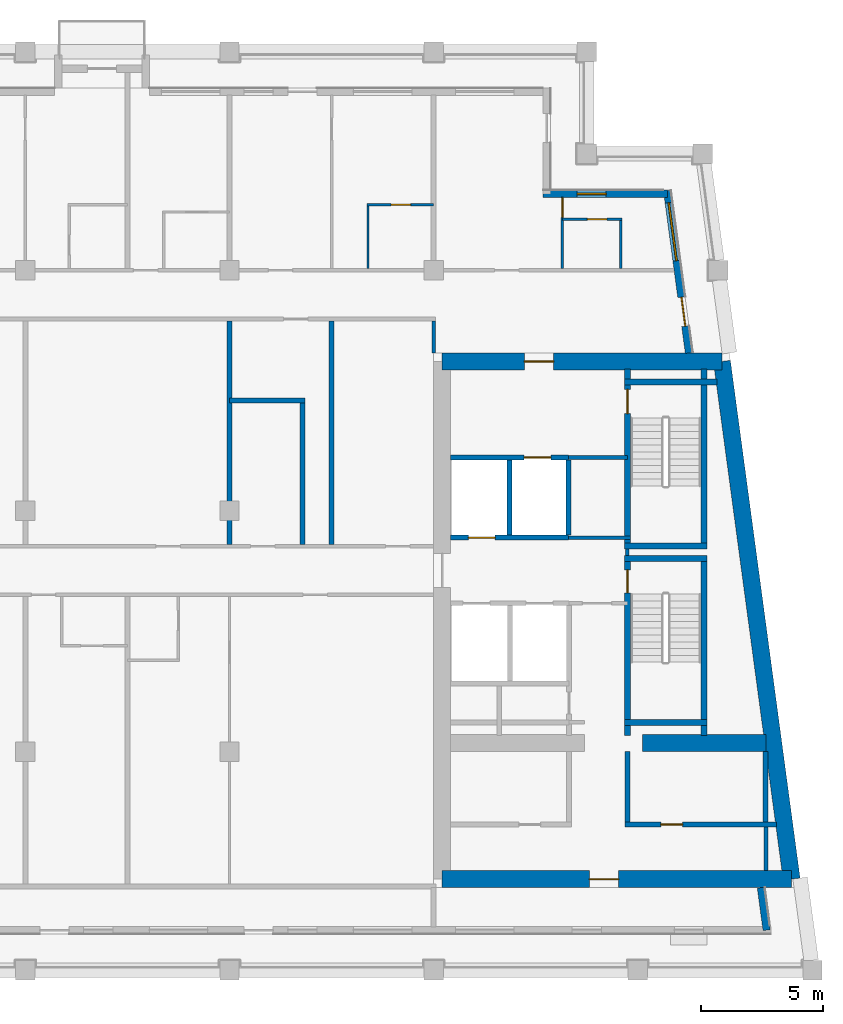
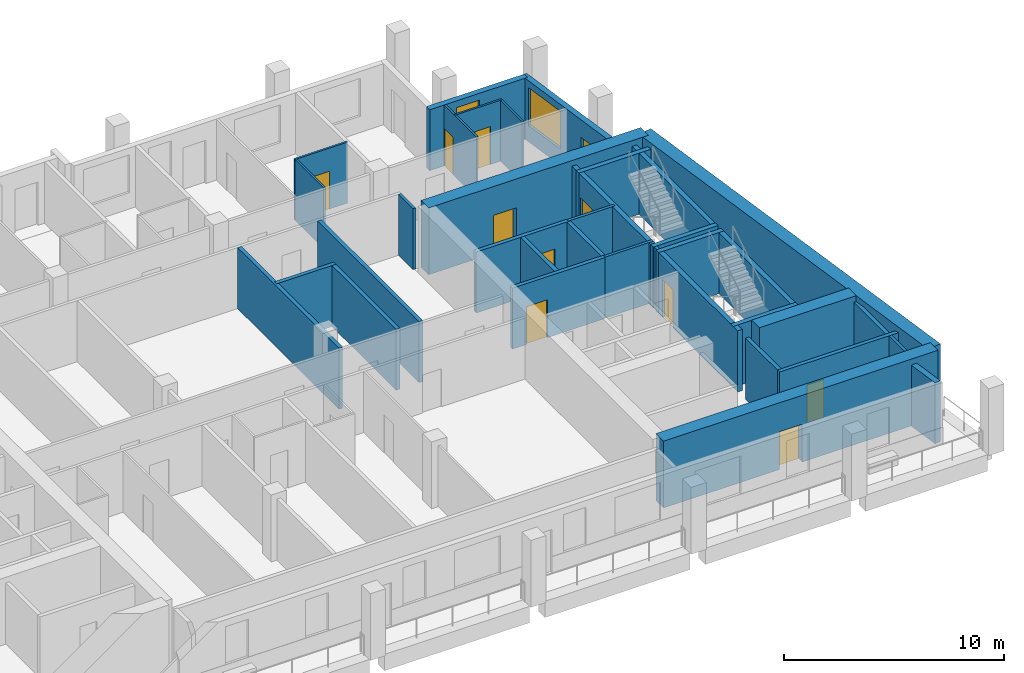
# One storey, part 5 of 14: 36 walls, 11 doors, 2 windows, 13 openings.
"""IFC4 building model written with IfcOpenShell, lengths in metres."""

import ifcopenshell
import ifcopenshell.guid

model = None  # the IFC model being written
_history = None  # IfcOwnerHistory: only IFC2X3 demands one
_inside = {}  # id of a spatial element -> (the spatial element, [elements in it])
_under = {}  # id of a project, library or spatial element -> (it, [spatial elements below it])
_declared = {}  # id of a project -> (the project, [libraries it declares])
_typed = {}  # id of a type object -> (the type object, [elements of that type])
_made_of = {}  # id of a material, layer set ... -> (it, [elements and type objects made of it])


def new_model(schema):
    """Start an empty IFC model of exactly this schema.

    Asked for "IFC4X3", IfcOpenShell would pick the latest addendum, in which some entities
    have other attributes; the version numbers below select the first issue.
    IFC2X3 requires an IfcOwnerHistory on every rooted entity: one is made here for all.
    """
    global model, _history
    if schema == "IFC4X3":
        model = ifcopenshell.file(schema_version=(4, 3, 0, 0))
    else:
        model = ifcopenshell.file(schema=schema)
    _inside.clear()
    _under.clear()
    _declared.clear()
    _typed.clear()
    _made_of.clear()
    _history = None
    if model.schema == "IFC2X3":
        org = make("IfcOrganization", Name="unknown")
        user = make(
            "IfcPersonAndOrganization",
            ThePerson=make("IfcPerson", FamilyName="unknown"),
            TheOrganization=org,
        )
        app = make(
            "IfcApplication",
            ApplicationDeveloper=org,
            Version="unknown",
            ApplicationFullName="unknown",
            ApplicationIdentifier="unknown",
        )
        _history = make(
            "IfcOwnerHistory",
            OwningUser=user,
            OwningApplication=app,
            ChangeAction="ADDED",
            CreationDate=0,
        )
    return model


def make(cls, **values):
    """One entity of the class cls with the attributes given. An attribute that is None is left unset."""
    return model.create_entity(
        cls, **{name: value for name, value in values.items() if value is not None}
    )


def rooted(cls, **values):
    """An entity with a GlobalId (a new one), such as an element, a storey or a relation."""
    return make(cls, GlobalId=ifcopenshell.guid.new(), OwnerHistory=_history, **values)


def si_unit(unit_type, name, prefix=None):
    """IfcSIUnit, for example si_unit("LENGTHUNIT", "METRE", prefix="MILLI")."""
    return make("IfcSIUnit", UnitType=unit_type, Prefix=prefix, Name=name)


def assignment(units):
    """IfcUnitAssignment: the units of a project."""
    return None if units is None else make("IfcUnitAssignment", Units=units)


def point(xyz):
    """IfcCartesianPoint."""
    return None if xyz is None else make("IfcCartesianPoint", Coordinates=xyz)


def direction(xyz):
    """IfcDirection."""
    return None if xyz is None else make("IfcDirection", DirectionRatios=xyz)


def frame(location, z_axis=None, x_axis=None):
    """IfcAxis2Placement3D, a coordinate frame: its origin and axes. An axis left out is left unset."""
    return make(
        "IfcAxis2Placement3D",
        Location=point(location),
        Axis=direction(z_axis),
        RefDirection=direction(x_axis),
    )


def frame_2d(location, x_axis=None):
    """IfcAxis2Placement2D, a coordinate frame in the plane: its origin and x axis."""
    return make(
        "IfcAxis2Placement2D", Location=point(location), RefDirection=direction(x_axis)
    )


def origin():
    """The frame at (0, 0, 0) with its axes left unset."""
    return frame((0.0, 0.0, 0.0))


def place(relative_to, where):
    """IfcLocalPlacement: puts the frame where relative to a parent placement (None: the world)."""
    return make(
        "IfcLocalPlacement", PlacementRelTo=relative_to, RelativePlacement=where
    )


def context(
    kind, dimensions, precision=None, world=None, true_north=None, identifier=None
):
    """IfcGeometricRepresentationContext, for example the 3D "Model" context."""
    return make(
        "IfcGeometricRepresentationContext",
        ContextIdentifier=identifier,
        ContextType=kind,
        CoordinateSpaceDimension=dimensions,
        Precision=precision,
        WorldCoordinateSystem=world,
        TrueNorth=true_north,
    )


def subcontext(parent, identifier, kind, view, scale=None):
    """IfcGeometricRepresentationSubContext, for example "Body" below "Model"."""
    return make(
        "IfcGeometricRepresentationSubContext",
        ContextIdentifier=identifier,
        ContextType=kind,
        ParentContext=parent,
        TargetScale=scale,
        TargetView=view,
    )


def project(units=None, contexts=None):
    """IfcProject with its units and contexts."""
    return rooted(
        "IfcProject",
        Name="project",
        RepresentationContexts=contexts,
        UnitsInContext=assignment(units),
    )


def spatial(cls, under=None, at=None, **own):
    """A site, building, storey or space (cls), placed at a placement, below another one or the project."""
    s = rooted(cls, ObjectPlacement=at, **own)
    if under is not None:
        _under.setdefault(under.id(), (under, []))[1].append(s)
    return s


def profile(cls, at=None, kind="AREA", **sizes):
    """A parametric profile (cls). Its sizes go by their IFC names, for example OverallWidth=200.0."""
    return make(cls, ProfileType=kind, Position=at, **sizes)


def rectangle(**sizes):
    """IfcRectangleProfileDef."""
    return profile("IfcRectangleProfileDef", **sizes)


def extrude(swept, where, along, depth):
    """IfcExtrudedAreaSolid: the profile swept, set in the frame where, extruded along a direction by depth."""
    return make(
        "IfcExtrudedAreaSolid",
        SweptArea=swept,
        Position=where,
        ExtrudedDirection=direction(along),
        Depth=depth,
    )


def shape(context_of_items, identifier, shape_type, items):
    """IfcShapeRepresentation: the items that make up one representation, for example the "Body"."""
    return make(
        "IfcShapeRepresentation",
        ContextOfItems=context_of_items,
        RepresentationIdentifier=identifier,
        RepresentationType=shape_type,
        Items=items,
    )


def material(Name=None, Category=None):
    """IfcMaterial."""
    return make("IfcMaterial", Name=Name, Category=Category)


def layer(
    of_material, thickness, ventilated=None, Name=None, Category=None, Priority=None
):
    """IfcMaterialLayer: one layer of a wall or slab, of a material (None: an air gap)."""
    return make(
        "IfcMaterialLayer",
        Material=of_material,
        LayerThickness=thickness,
        IsVentilated=ventilated,
        Name=Name,
        Category=Category,
        Priority=Priority,
    )


def layer_set(layers, Name=None):
    """IfcMaterialLayerSet."""
    return make("IfcMaterialLayerSet", MaterialLayers=layers, LayerSetName=Name)


def made_of(thing, what):
    """Note that an element or type object is made of a material, layer set ...; save() writes the relation."""
    if what is not None:
        _made_of.setdefault(what.id(), (what, []))[1].append(thing)
    return thing


def type_object(cls, material=None, **own):
    """A type object (cls), such as IfcWallType, which elements share."""
    return made_of(rooted(cls, **own), material)


def element(
    cls,
    number,
    at=None,
    inside=None,
    cuts=None,
    type_object=None,
    material=None,
    context=None,
    identifier="Body",
    shape_type=None,
    held_by="IfcProductDefinitionShape",
    body=None,
    shapes=None,
    **own,
):
    """One element of the class cls, such as IfcWall. Its Tag is "e" and its number.

    at: its placement. inside: the storey or other place that contains it. cuts: it is an
    opening in that element (IfcRelVoidsElement). A single representation is given by context,
    identifier, shape_type and body (its items); several are given by shapes. held_by: the class
    of the entity that holds the representations. save() writes the other relations.
    """
    e = rooted(cls, Tag="e%d" % number, ObjectPlacement=at, **own)
    if body is not None:
        shapes = [shape(context, identifier, shape_type, body)]
    if shapes is not None:
        e.Representation = make(held_by, Representations=shapes)
    if inside is not None:
        _inside.setdefault(inside.id(), (inside, []))[1].append(e)
    if cuts is not None:
        rooted(
            "IfcRelVoidsElement", RelatingBuildingElement=cuts, RelatedOpeningElement=e
        )
    if type_object is not None:
        _typed.setdefault(type_object.id(), (type_object, []))[1].append(e)
    return made_of(e, material)


def fill(opening, filler):
    """IfcRelFillsElement: the door or window that sits in an opening."""
    return rooted(
        "IfcRelFillsElement",
        RelatingOpeningElement=opening,
        RelatedBuildingElement=filler,
    )


def aggregate(whole, parts):
    """IfcRelAggregates: a whole, such as a stair, and the parts it consists of."""
    return rooted("IfcRelAggregates", RelatingObject=whole, RelatedObjects=parts)


def save(model, path):
    """Write the relations noted so far, then the file.

    IfcRelAggregates (storeys below a building ...), IfcRelContainedInSpatialStructure (elements
    in a storey), IfcRelDefinesByType, IfcRelAssociatesMaterial and IfcRelDeclares: one each for
    every whole, place, type object, material and project.
    """
    for whole, parts in _under.values():
        aggregate(whole, parts)
    for where, things in _inside.values():
        rooted(
            "IfcRelContainedInSpatialStructure",
            RelatedElements=things,
            RelatingStructure=where,
        )
    for kind, things in _typed.values():
        rooted("IfcRelDefinesByType", RelatedObjects=things, RelatingType=kind)
    for what, things in _made_of.values():
        rooted("IfcRelAssociatesMaterial", RelatedObjects=things, RelatingMaterial=what)
    for by, libraries in _declared.values():
        rooted("IfcRelDeclares", RelatingContext=by, RelatedDefinitions=libraries)
    model.write(path)


model = new_model("IFC4")

# Units and contexts
model_context = context("Model", 3, precision=1e-05, world=origin(), true_north=direction((0.0, 1.0)))
body_context = subcontext(model_context, "Body", "Model", "MODEL_VIEW")
ifc_project = project(units=[si_unit("LENGTHUNIT", "METRE"), si_unit("AREAUNIT", "SQUARE_METRE"), si_unit("VOLUMEUNIT", "CUBIC_METRE"), si_unit("PLANEANGLEUNIT", "RADIAN"), si_unit("MASSUNIT", "GRAM", prefix="KILO")], contexts=[model_context])

# Site, building, storey
site_placement = place(None, origin())
site = spatial("IfcSite", under=ifc_project, at=site_placement, CompositionType="ELEMENT")
building_placement = place(site_placement, origin())
building = spatial("IfcBuilding", under=site, at=building_placement, Name="Candeia Pilgrim Tower and Theatre", CompositionType="ELEMENT")
storey_placement = place(building_placement, frame((0.0, 0.0, 266.39990234375)))
storey = spatial("IfcBuildingStorey", under=building, at=storey_placement, Name="L64", CompositionType="ELEMENT", Elevation=266.39990234375)

# Wall, opening, door
ifc_material_1 = material(Name="Concrete C40/50", Category="concrete")
ifc_layer_1 = layer(ifc_material_1, 0.699951171875)
ifc_layer_set_1 = layer_set([ifc_layer_1], Name="Core wall 700 C40/50")
wall_type_1 = type_object("IfcWallType", Name="Core wall 700 C40/50", PredefinedType="SHEAR", material=ifc_layer_set_1)
wall_1_placement = place(storey_placement, frame((126.35009765625, 132.050048828125, 0.0), z_axis=(0.0, 0.0, 1.0), x_axis=(1.0, 0.0, 0.0)))
wall_1 = element("IfcWall", 1, at=wall_1_placement, inside=storey, type_object=wall_type_1, Name="Core wall E1", PredefinedType="SHEAR", context=body_context, shape_type="SweptSolid", body=[
    extrude(rectangle(XDim=11.51318359375, YDim=0.699951171875, at=frame_2d((5.756591796875, 0.0))), origin(), (0.0, 0.0, 1.0), 3.7001953125),
])
opening_1_placement = place(wall_1_placement, frame((3.386474609375, 0.0, 0.0)))
opening_1 = element("IfcOpeningElement", 2, at=opening_1_placement, cuts=wall_1, Name="Opening L64-D045", PredefinedType="OPENING", context=body_context, shape_type="SweptSolid", body=[
    extrude(rectangle(XDim=1.199951171875, YDim=2.10009765625, at=frame_2d((0.60009765625, 1.050048828125))), frame((0.0, 0.35986328125, 0.0), z_axis=(0.0, -1.0, 0.0), x_axis=(1.0, 0.0, 0.0)), (0.0, 0.0, 1.0), 0.719970703125),
])
ifc_material_2 = material(Name="Steel fire door set", Category="steel")
door_type_1 = type_object("IfcDoorType", Name="D-1200-FD60", OperationType="NOTDEFINED", PredefinedType="DOOR", material=ifc_material_2)
door_1_placement = place(opening_1_placement, origin())
door_1 = element("IfcDoor", 3, at=door_1_placement, inside=storey, type_object=door_type_1, Name="Door L64-D045", OperationType="SINGLE_SWING_LEFT", OverallHeight=2.10009765625, OverallWidth=1.199951171875, PredefinedType="DOOR", context=body_context, shape_type="SweptSolid", body=[
    extrude(rectangle(XDim=1.199951171875, YDim=2.10009765625, at=frame_2d((0.60009765625, 1.050048828125))), frame((0.0, 0.02490234375, 0.0), z_axis=(0.0, -1.0, 0.0), x_axis=(1.0, 0.0, 0.0)), (0.0, 0.0, 1.0), 0.050048828125),
])
fill(opening_1, door_1)

# Wall
wall_2_placement = place(storey_placement, frame((137.86328125, 132.050048828125, 0.0), z_axis=(0.0, 0.0, 1.0), x_axis=(0.133406218907, -0.991061441464, 0.0)))
element("IfcWall", 4, at=wall_2_placement, inside=storey, type_object=wall_type_1, Name="Core wall E2", PredefinedType="SHEAR", context=body_context, shape_type="SweptSolid", body=[
    extrude(rectangle(XDim=21.4921875, YDim=0.699951171875, at=frame_2d((10.74609375, 0.0))), origin(), (0.0, 0.0, 1.0), 3.7001953125),
])

# Wall, opening, door
wall_3_placement = place(storey_placement, frame((140.73046875, 110.75, 0.0), z_axis=(0.0, 0.0, 1.0), x_axis=(-1.0, 0.0, 0.0)))
wall_3 = element("IfcWall", 5, at=wall_3_placement, inside=storey, type_object=wall_type_1, Name="Core wall E3", PredefinedType="SHEAR", context=body_context, shape_type="SweptSolid", body=[
    extrude(rectangle(XDim=14.38037109375, YDim=0.699951171875, at=frame_2d((7.190185546875, 0.0))), origin(), (0.0, 0.0, 1.0), 3.7001953125),
])
opening_2_placement = place(wall_3_placement, frame((7.1201171875, 0.0, 0.0)))
opening_2 = element("IfcOpeningElement", 6, at=opening_2_placement, cuts=wall_3, Name="Opening L64-D042", PredefinedType="OPENING", context=body_context, shape_type="SweptSolid", body=[
    extrude(rectangle(XDim=1.199951171875, YDim=2.10009765625, at=frame_2d((0.60009765625, 1.050048828125))), frame((0.0, 0.35986328125, 0.0), z_axis=(0.0, -1.0, 0.0), x_axis=(1.0, 0.0, 0.0)), (0.0, 0.0, 1.0), 0.719970703125),
])
door_2_placement = place(opening_2_placement, origin())
door_2 = element("IfcDoor", 7, at=door_2_placement, inside=storey, type_object=door_type_1, Name="Door L64-D042", OperationType="SINGLE_SWING_RIGHT", OverallHeight=2.10009765625, OverallWidth=1.199951171875, PredefinedType="DOOR", context=body_context, shape_type="SweptSolid", body=[
    extrude(rectangle(XDim=1.199951171875, YDim=2.10009765625, at=frame_2d((0.60009765625, 1.050048828125))), frame((0.0, 0.02490234375, 0.0), z_axis=(0.0, -1.0, 0.0), x_axis=(1.0, 0.0, 0.0)), (0.0, 0.0, 1.0), 0.050048828125),
])
fill(opening_2, door_2)

# Walls
wall_4_placement = place(storey_placement, frame((134.60009765625, 116.35009765625, 0.0), z_axis=(0.0, 0.0, 1.0), x_axis=(1.0, 0.0, 0.0)))
element("IfcWall", 8, at=wall_4_placement, inside=storey, type_object=wall_type_1, Name="Core wall E6", PredefinedType="SHEAR", context=body_context, shape_type="SweptSolid", body=[
    extrude(rectangle(XDim=5.076904296875, YDim=0.699951171875, at=frame_2d((2.53857421875, 0.0))), origin(), (0.0, 0.0, 1.0), 3.7001953125),
])
ifc_material_3 = material(Name="Ceramic block masonry", Category="masonry")
ifc_layer_2 = layer(ifc_material_3, 0.300048828125)
ifc_layer_set_2 = layer_set([ifc_layer_2], Name="EW1 glazing-line wall 300")
wall_type_2 = type_object("IfcWallType", Name="EW1 glazing-line wall 300", PredefinedType="SOLIDWALL", material=ifc_layer_set_2)
wall_5_placement = place(storey_placement, frame((139.701416015625, 108.64990234375, 0.0), z_axis=(0.0, 0.0, 1.0), x_axis=(-0.133422458344, 0.991059255347, 0.0)))
element("IfcWall", 9, at=wall_5_placement, inside=storey, type_object=wall_type_2, Name="External wall L64-2.0", PredefinedType="SOLIDWALL", context=body_context, shape_type="SweptSolid", body=[
    extrude(rectangle(XDim=1.765869140625, YDim=0.300048828125, at=frame_2d((0.8828125, 0.0))), origin(), (0.0, 0.0, 1.0), 3.380126953125),
])

# Wall, openings, door, window
wall_6_placement = place(storey_placement, frame((136.50439453125, 132.39990234375, 0.0), z_axis=(0.0, 0.0, 1.0), x_axis=(-0.133399697462, 0.99106231929, 0.0)))
wall_6 = element("IfcWall", 10, at=wall_6_placement, inside=storey, type_object=wall_type_2, Name="External wall L64-2.1", PredefinedType="SOLIDWALL", context=body_context, shape_type="SweptSolid", body=[
    extrude(rectangle(XDim=6.740478515625, YDim=0.300048828125, at=frame_2d((3.3701171875, 0.0))), origin(), (0.0, 0.0, 1.0), 3.380126953125),
])
opening_3_placement = place(wall_6_placement, frame((1.115234375, 0.0, 0.0)))
opening_3 = element("IfcOpeningElement", 11, at=opening_3_placement, cuts=wall_6, Name="Opening L64-ED607", PredefinedType="OPENING", context=body_context, shape_type="SweptSolid", body=[
    extrude(rectangle(XDim=1.199951171875, YDim=2.39990234375, at=frame_2d((0.60009765625, 1.199951171875))), frame((0.0, 0.16015625, 0.0), z_axis=(0.0, -1.0, 0.0), x_axis=(1.0, 0.0, 0.0)), (0.0, 0.0, 1.0), 0.320068359375),
])
opening_4_placement = place(wall_6_placement, frame((3.83544921875, 0.0, 0.89990234375)))
opening_4 = element("IfcOpeningElement", 12, at=opening_4_placement, cuts=wall_6, Name="Opening W-A", PredefinedType="OPENING", context=body_context, shape_type="SweptSolid", body=[
    extrude(rectangle(XDim=2.39990234375, YDim=2.10009765625, at=frame_2d((1.199951171875, 1.050048828125))), frame((0.0, 0.16015625, 0.0), z_axis=(0.0, -1.0, 0.0), x_axis=(1.0, 0.0, 0.0)), (0.0, 0.0, 1.0), 0.320068359375),
])
ifc_material_4 = material(Name="Aluminium framed glazed door", Category="aluminium")
door_type_2 = type_object("IfcDoorType", Name="Loggia door 1200x2400", OperationType="DOUBLE_DOOR_SINGLE_SWING", PredefinedType="DOOR", material=ifc_material_4)
door_3_placement = place(opening_3_placement, origin())
door_3 = element("IfcDoor", 13, at=door_3_placement, inside=storey, type_object=door_type_2, Name="Loggia door L64-ED607", OperationType="DOUBLE_DOOR_SINGLE_SWING", OverallHeight=2.39990234375, OverallWidth=1.199951171875, PredefinedType="DOOR", context=body_context, shape_type="SweptSolid", body=[
    extrude(rectangle(XDim=1.199951171875, YDim=2.39990234375, at=frame_2d((0.60009765625, 1.199951171875))), frame((0.0, 0.02490234375, 0.0), z_axis=(0.0, -1.0, 0.0), x_axis=(1.0, 0.0, 0.0)), (0.0, 0.0, 1.0), 0.050048828125),
])
fill(opening_3, door_3)
ifc_material_5 = material(Name="Aluminium framed double glazing", Category="aluminium")
window_type_1 = type_object("IfcWindowType", Name="W-A window 2400x2100", PartitioningType="DOUBLE_PANEL_VERTICAL", PredefinedType="WINDOW", material=ifc_material_5)
window_1_placement = place(opening_4_placement, origin())
window_1 = element("IfcWindow", 14, at=window_1_placement, inside=storey, type_object=window_type_1, Name="Window W-A L64", OverallHeight=2.10009765625, OverallWidth=2.39990234375, PartitioningType="SINGLE_PANEL", PredefinedType="WINDOW", context=body_context, shape_type="SweptSolid", body=[
    extrude(rectangle(XDim=2.39990234375, YDim=2.10009765625, at=frame_2d((1.199951171875, 1.050048828125))), frame((0.0, 0.030029296875, 0.0), z_axis=(0.0, -1.0, 0.0), x_axis=(1.0, 0.0, 0.0)), (0.0, 0.0, 1.0), 0.06005859375),
])
fill(opening_4, window_1)

# Wall, opening, window
wall_7_placement = place(storey_placement, frame((135.62255859375, 138.949951171875, 0.0), z_axis=(0.0, 0.0, 1.0), x_axis=(-1.0, 0.0, 0.0)))
wall_7 = element("IfcWall", 15, at=wall_7_placement, inside=storey, type_object=wall_type_2, Name="External wall L64-3.0", PredefinedType="SOLIDWALL", context=body_context, shape_type="SweptSolid", body=[
    extrude(rectangle(XDim=5.12255859375, YDim=0.300048828125, at=frame_2d((2.561279296875, 0.0))), origin(), (0.0, 0.0, 1.0), 3.380126953125),
])
opening_5_placement = place(wall_7_placement, frame((2.522705078125, 0.0, 0.89990234375)))
opening_5 = element("IfcOpeningElement", 16, at=opening_5_placement, cuts=wall_7, Name="Opening W-B", PredefinedType="OPENING", context=body_context, shape_type="SweptSolid", body=[
    extrude(rectangle(XDim=1.199951171875, YDim=2.10009765625, at=frame_2d((0.60009765625, 1.050048828125))), frame((0.0, 0.16015625, 0.0), z_axis=(0.0, -1.0, 0.0), x_axis=(1.0, 0.0, 0.0)), (0.0, 0.0, 1.0), 0.320068359375),
])
window_type_2 = type_object("IfcWindowType", Name="W-B window 1200x2100", PartitioningType="SINGLE_PANEL", PredefinedType="WINDOW", material=ifc_material_5)
window_2_placement = place(opening_5_placement, origin())
window_2 = element("IfcWindow", 17, at=window_2_placement, inside=storey, type_object=window_type_2, Name="Window W-B L64", OverallHeight=2.10009765625, OverallWidth=1.199951171875, PartitioningType="SINGLE_PANEL", PredefinedType="WINDOW", context=body_context, shape_type="SweptSolid", body=[
    extrude(rectangle(XDim=1.199951171875, YDim=2.10009765625, at=frame_2d((0.60009765625, 1.050048828125))), frame((0.0, 0.030029296875, 0.0), z_axis=(0.0, -1.0, 0.0), x_axis=(1.0, 0.0, 0.0)), (0.0, 0.0, 1.0), 0.06005859375),
])
fill(opening_5, window_2)

# Wall, opening, door
ifc_material_6 = material(Name="Gypsum board partition on steel studs", Category="steel")
ifc_layer_3 = layer(ifc_material_6, 0.10009765625)
ifc_layer_set_3 = layer_set([ifc_layer_3], Name="PW-100 room partition")
wall_type_3 = type_object("IfcWallType", Name="PW-100 room partition", PredefinedType="PARTITIONING", material=ifc_layer_set_3)
wall_8_placement = place(storey_placement, frame((131.300048828125, 137.89990234375, 0.0), z_axis=(0.0, 0.0, 1.0), x_axis=(1.0, 0.0, 0.0)))
wall_8 = element("IfcWall", 18, at=wall_8_placement, inside=storey, type_object=wall_type_3, Name="Room partition L64-038", PredefinedType="PARTITIONING", context=body_context, shape_type="SweptSolid", body=[
    extrude(rectangle(XDim=2.449951171875, YDim=0.10009765625, at=frame_2d((1.22509765625, 0.0))), origin(), (0.0, 0.0, 1.0), 3.380126953125),
])
opening_6_placement = place(wall_8_placement, frame((1.02490234375, 0.0, 0.0)))
opening_6 = element("IfcOpeningElement", 19, at=opening_6_placement, cuts=wall_8, Name="Opening L64-D034", PredefinedType="OPENING", context=body_context, shape_type="SweptSolid", body=[
    extrude(rectangle(XDim=0.800048828125, YDim=2.10009765625, at=frame_2d((0.39990234375, 1.050048828125))), frame((0.0, 0.06005859375, 0.0), z_axis=(0.0, -1.0, 0.0), x_axis=(1.0, 0.0, 0.0)), (0.0, 0.0, 1.0), 0.1201171875),
])
ifc_material_7 = material(Name="Timber door leaf", Category="wood")
door_type_3 = type_object("IfcDoorType", Name="D-800", OperationType="NOTDEFINED", PredefinedType="DOOR", material=ifc_material_7)
door_4_placement = place(opening_6_placement, origin())
door_4 = element("IfcDoor", 20, at=door_4_placement, inside=storey, type_object=door_type_3, Name="Door L64-D034", OperationType="SINGLE_SWING_RIGHT", OverallHeight=2.10009765625, OverallWidth=0.800048828125, PredefinedType="DOOR", context=body_context, shape_type="SweptSolid", body=[
    extrude(rectangle(XDim=0.800048828125, YDim=2.10009765625, at=frame_2d((0.39990234375, 1.050048828125))), frame((0.0, 0.02490234375, 0.0), z_axis=(0.0, -1.0, 0.0), x_axis=(1.0, 0.0, 0.0)), (0.0, 0.0, 1.0), 0.050048828125),
])
fill(opening_6, door_4)

wall_9_placement = place(storey_placement, frame((123.25, 138.5, 0.0), z_axis=(0.0, 0.0, 1.0), x_axis=(1.0, 0.0, 0.0)))
wall_9 = element("IfcWall", 21, at=wall_9_placement, inside=storey, type_object=wall_type_3, Name="Room partition L64-042", PredefinedType="PARTITIONING", context=body_context, shape_type="SweptSolid", body=[
    extrude(rectangle(XDim=2.75, YDim=0.10009765625, at=frame_2d((1.375, 0.0))), origin(), (0.0, 0.0, 1.0), 3.380126953125),
])
opening_7_placement = place(wall_9_placement, frame((1.0, 0.0, 0.0)))
opening_7 = element("IfcOpeningElement", 22, at=opening_7_placement, cuts=wall_9, Name="Opening L64-D031", PredefinedType="OPENING", context=body_context, shape_type="SweptSolid", body=[
    extrude(rectangle(XDim=0.800048828125, YDim=2.10009765625, at=frame_2d((0.39990234375, 1.050048828125))), frame((0.0, 0.06005859375, 0.0), z_axis=(0.0, -1.0, 0.0), x_axis=(1.0, 0.0, 0.0)), (0.0, 0.0, 1.0), 0.1201171875),
])
door_5_placement = place(opening_7_placement, origin())
door_5 = element("IfcDoor", 23, at=door_5_placement, inside=storey, type_object=door_type_3, Name="Door L64-D031", OperationType="SINGLE_SWING_LEFT", OverallHeight=2.10009765625, OverallWidth=0.800048828125, PredefinedType="DOOR", context=body_context, shape_type="SweptSolid", body=[
    extrude(rectangle(XDim=0.800048828125, YDim=2.10009765625, at=frame_2d((0.39990234375, 1.050048828125))), frame((0.0, 0.02490234375, 0.0), z_axis=(0.0, -1.0, 0.0), x_axis=(1.0, 0.0, 0.0)), (0.0, 0.0, 1.0), 0.050048828125),
])
fill(opening_7, door_5)

# Wall
wall_10_placement = place(storey_placement, frame((123.300048828125, 135.875, 0.0), z_axis=(0.0, 0.0, 1.0), x_axis=(0.0, 1.0, 0.0)))
element("IfcWall", 24, at=wall_10_placement, inside=storey, type_object=wall_type_3, Name="Room partition L64-080", PredefinedType="PARTITIONING", context=body_context, shape_type="SweptSolid", body=[
    extrude(rectangle(XDim=2.574951171875, YDim=0.10009765625, at=frame_2d((1.28759765625, 0.0))), origin(), (0.0, 0.0, 1.0), 3.380126953125),
])

# Wall, opening, door
wall_11_placement = place(storey_placement, frame((131.300048828125, 135.875, 0.0), z_axis=(0.0, 0.0, 1.0), x_axis=(0.0, 1.0, 0.0)))
wall_11 = element("IfcWall", 25, at=wall_11_placement, inside=storey, type_object=wall_type_3, Name="Room partition L64-087", PredefinedType="PARTITIONING", context=body_context, shape_type="SweptSolid", body=[
    extrude(rectangle(XDim=2.93505859375, YDim=0.10009765625, at=frame_2d((1.467529296875, 0.0))), origin(), (0.0, 0.0, 1.0), 3.380126953125),
])
opening_8_placement = place(wall_11_placement, frame((2.10498046875, 0.0, 0.0)))
opening_8 = element("IfcOpeningElement", 26, at=opening_8_placement, cuts=wall_11, Name="Opening L64-D033", PredefinedType="OPENING", context=body_context, shape_type="SweptSolid", body=[
    extrude(rectangle(XDim=0.800048828125, YDim=2.10009765625, at=frame_2d((0.39990234375, 1.050048828125))), frame((0.0, 0.06005859375, 0.0), z_axis=(0.0, -1.0, 0.0), x_axis=(1.0, 0.0, 0.0)), (0.0, 0.0, 1.0), 0.1201171875),
])
door_6_placement = place(opening_8_placement, origin())
door_6 = element("IfcDoor", 27, at=door_6_placement, inside=storey, type_object=door_type_3, Name="Door L64-D033", OperationType="SINGLE_SWING_LEFT", OverallHeight=2.10009765625, OverallWidth=0.800048828125, PredefinedType="DOOR", context=body_context, shape_type="SweptSolid", body=[
    extrude(rectangle(XDim=0.800048828125, YDim=2.10009765625, at=frame_2d((0.39990234375, 1.050048828125))), frame((0.0, 0.02490234375, 0.0), z_axis=(0.0, -1.0, 0.0), x_axis=(1.0, 0.0, 0.0)), (0.0, 0.0, 1.0), 0.050048828125),
])
fill(opening_8, door_6)

# Walls
wall_12_placement = place(storey_placement, frame((133.699951171875, 135.875, 0.0), z_axis=(0.0, 0.0, 1.0), x_axis=(0.0, 1.0, 0.0)))
element("IfcWall", 28, at=wall_12_placement, inside=storey, type_object=wall_type_3, Name="Room partition L64-091", PredefinedType="PARTITIONING", context=body_context, shape_type="SweptSolid", body=[
    extrude(rectangle(XDim=1.97509765625, YDim=0.10009765625, at=frame_2d((0.987548828125, 0.0))), origin(), (0.0, 0.0, 1.0), 3.380126953125),
])
ifc_layer_4 = layer(ifc_material_6, 0.14990234375)
ifc_layer_set_4 = layer_set([ifc_layer_4], Name="PW-150 lobby wall")
wall_type_4 = type_object("IfcWallType", Name="PW-150 lobby wall", PredefinedType="PARTITIONING", material=ifc_layer_set_4)
wall_13_placement = place(storey_placement, frame((131.548583984375, 124.800048828125, 0.0), z_axis=(0.0, 0.0, 1.0), x_axis=(1.0, 0.0, 0.0)))
element("IfcWall", 29, at=wall_13_placement, inside=storey, type_object=wall_type_4, Name="Lobby wall L64-029", PredefinedType="PARTITIONING", context=body_context, shape_type="SweptSolid", body=[
    extrude(rectangle(XDim=2.54931640625, YDim=0.14990234375, at=frame_2d((1.274658203125, 0.0))), origin(), (0.0, 0.0, 1.0), 3.380126953125),
])
wall_14_placement = place(storey_placement, frame((131.548583984375, 128.10009765625, 0.0), z_axis=(0.0, 0.0, 1.0), x_axis=(1.0, 0.0, 0.0)))
element("IfcWall", 30, at=wall_14_placement, inside=storey, type_object=wall_type_4, Name="Lobby wall L64-032", PredefinedType="PARTITIONING", context=body_context, shape_type="SweptSolid", body=[
    extrude(rectangle(XDim=2.42431640625, YDim=0.14990234375, at=frame_2d((1.212158203125, 0.0))), origin(), (0.0, 0.0, 1.0), 3.380126953125),
])
wall_15_placement = place(storey_placement, frame((133.972900390625, 124.074951171875, 0.0), z_axis=(0.0, 0.0, 1.0), x_axis=(0.0, 1.0, 0.0)))
element("IfcWall", 31, at=wall_15_placement, inside=storey, type_object=wall_type_4, Name="Lobby wall L64-093", PredefinedType="PARTITIONING", context=body_context, shape_type="SweptSolid", body=[
    extrude(rectangle(XDim=0.25, YDim=0.14990234375, at=frame_2d((0.125, 0.0))), origin(), (0.0, 0.0, 1.0), 3.380126953125),
])
wall_16_placement = place(storey_placement, frame((139.673095703125, 111.10009765625, 0.0), z_axis=(0.0, 0.0, 1.0), x_axis=(0.0, 1.0, 0.0)))
element("IfcWall", 32, at=wall_16_placement, inside=storey, type_object=wall_type_4, Name="Lobby wall L64-099", PredefinedType="PARTITIONING", context=body_context, shape_type="SweptSolid", body=[
    extrude(rectangle(XDim=1.7998046875, YDim=0.14990234375, at=frame_2d((0.89990234375, 0.0))), origin(), (0.0, 0.0, 1.0), 3.380126953125),
])
ifc_layer_5 = layer(ifc_material_6, 0.14990234375)
ifc_layer_set_5 = layer_set([ifc_layer_5], Name="PW-150 unit wall")
wall_type_5 = type_object("IfcWallType", Name="PW-150 unit wall", PredefinedType="PARTITIONING", material=ifc_layer_set_5)
wall_17_placement = place(storey_placement, frame((126.0, 132.39990234375, 0.0), z_axis=(0.0, 0.0, 1.0), x_axis=(0.0, 1.0, 0.0)))
element("IfcWall", 33, at=wall_17_placement, inside=storey, type_object=wall_type_5, Name="Unit wall L64-083", PredefinedType="PARTITIONING", context=body_context, shape_type="SweptSolid", body=[
    extrude(rectangle(XDim=1.3251953125, YDim=0.14990234375, at=frame_2d((0.66259765625, 0.0))), origin(), (0.0, 0.0, 1.0), 3.380126953125),
])
ifc_layer_6 = layer(ifc_material_6, 0.199951171875)
ifc_layer_set_6 = layer_set([ifc_layer_6], Name="PW-200 party wall")
wall_type_6 = type_object("IfcWallType", Name="PW-200 party wall", PredefinedType="PARTITIONING", material=ifc_layer_set_6)
wall_18_placement = place(storey_placement, frame((117.60009765625, 130.449951171875, 0.0), z_axis=(0.0, 0.0, 1.0), x_axis=(1.0, 0.0, 0.0)))
element("IfcWall", 34, at=wall_18_placement, inside=storey, type_object=wall_type_6, Name="Party wall L64-033", PredefinedType="PARTITIONING", context=body_context, shape_type="SweptSolid", body=[
    extrude(rectangle(XDim=3.099853515625, YDim=0.199951171875, at=frame_2d((1.5498046875, 0.0))), origin(), (0.0, 0.0, 1.0), 3.380126953125),
])
wall_19_placement = place(storey_placement, frame((117.60009765625, 124.52490234375, 0.0), z_axis=(0.0, 0.0, 1.0), x_axis=(0.0, 1.0, 0.0)))
element("IfcWall", 35, at=wall_19_placement, inside=storey, type_object=wall_type_6, Name="Party wall L64-075", PredefinedType="PARTITIONING", context=body_context, shape_type="SweptSolid", body=[
    extrude(rectangle(XDim=9.2001953125, YDim=0.199951171875, at=frame_2d((4.60009765625, 0.0))), origin(), (0.0, 0.0, 1.0), 3.380126953125),
])
wall_20_placement = place(storey_placement, frame((120.60009765625, 124.52490234375, 0.0), z_axis=(0.0, 0.0, 1.0), x_axis=(0.0, 1.0, 0.0)))
element("IfcWall", 36, at=wall_20_placement, inside=storey, type_object=wall_type_6, Name="Party wall L64-077", PredefinedType="PARTITIONING", context=body_context, shape_type="SweptSolid", body=[
    extrude(rectangle(XDim=5.8251953125, YDim=0.199951171875, at=frame_2d((2.91259765625, 0.0))), origin(), (0.0, 0.0, 1.0), 3.380126953125),
])
wall_21_placement = place(storey_placement, frame((121.800048828125, 124.52490234375, 0.0), z_axis=(0.0, 0.0, 1.0), x_axis=(0.0, 1.0, 0.0)))
element("IfcWall", 37, at=wall_21_placement, inside=storey, type_object=wall_type_6, Name="Party wall L64-079", PredefinedType="PARTITIONING", context=body_context, shape_type="SweptSolid", body=[
    extrude(rectangle(XDim=9.2001953125, YDim=0.199951171875, at=frame_2d((4.60009765625, 0.0))), origin(), (0.0, 0.0, 1.0), 3.380126953125),
])

# Wall, opening, door
ifc_layer_7 = layer(ifc_material_1, 0.199951171875)
ifc_layer_set_7 = layer_set([ifc_layer_7], Name="SW-200 shaft wall")
wall_type_7 = type_object("IfcWallType", Name="SW-200 shaft wall", PredefinedType="PARTITIONING", material=ifc_layer_set_7)
wall_22_placement = place(storey_placement, frame((133.873046875, 113.0, 0.0), z_axis=(0.0, 0.0, 1.0), x_axis=(1.0, 0.0, 0.0)))
wall_22 = element("IfcWall", 38, at=wall_22_placement, inside=storey, type_object=wall_type_7, Name="Shaft wall L64-005", PredefinedType="PARTITIONING", context=body_context, shape_type="SweptSolid", body=[
    extrude(rectangle(XDim=6.2314453125, YDim=0.199951171875, at=frame_2d((3.11572265625, 0.0))), origin(), (0.0, 0.0, 1.0), 3.380126953125),
])
opening_9_placement = place(wall_22_placement, frame((1.47509765625, 0.0, 0.0)))
opening_9 = element("IfcOpeningElement", 39, at=opening_9_placement, cuts=wall_22, Name="Opening L64-D011", PredefinedType="OPENING", context=body_context, shape_type="SweptSolid", body=[
    extrude(rectangle(XDim=0.89990234375, YDim=2.10009765625, at=frame_2d((0.449951171875, 1.050048828125))), frame((0.0, 0.10986328125, 0.0), z_axis=(0.0, -1.0, 0.0), x_axis=(1.0, 0.0, 0.0)), (0.0, 0.0, 1.0), 0.219970703125),
])
door_type_4 = type_object("IfcDoorType", Name="D-900-FD60", OperationType="NOTDEFINED", PredefinedType="DOOR", material=ifc_material_2)
door_7_placement = place(opening_9_placement, origin())
door_7 = element("IfcDoor", 40, at=door_7_placement, inside=storey, type_object=door_type_4, Name="Door L64-D011", OperationType="SINGLE_SWING_LEFT", OverallHeight=2.10009765625, OverallWidth=0.89990234375, PredefinedType="DOOR", context=body_context, shape_type="SweptSolid", body=[
    extrude(rectangle(XDim=0.89990234375, YDim=2.10009765625, at=frame_2d((0.449951171875, 1.050048828125))), frame((0.0, 0.02490234375, 0.0), z_axis=(0.0, -1.0, 0.0), x_axis=(1.0, 0.0, 0.0)), (0.0, 0.0, 1.0), 0.050048828125),
])
fill(opening_9, door_7)

wall_23_placement = place(storey_placement, frame((126.699951171875, 124.800048828125, 0.0), z_axis=(0.0, 0.0, 1.0), x_axis=(1.0, 0.0, 0.0)))
wall_23 = element("IfcWall", 41, at=wall_23_placement, inside=storey, type_object=wall_type_7, Name="Shaft wall L64-028", PredefinedType="PARTITIONING", context=body_context, shape_type="SweptSolid", body=[
    extrude(rectangle(XDim=4.8486328125, YDim=0.199951171875, at=frame_2d((2.42431640625, 0.0))), origin(), (0.0, 0.0, 1.0), 3.380126953125),
])
opening_10_placement = place(wall_23_placement, frame((0.72509765625, 0.0, 0.0)))
opening_10 = element("IfcOpeningElement", 42, at=opening_10_placement, cuts=wall_23, Name="Opening L64-LD08", PredefinedType="OPENING", context=body_context, shape_type="SweptSolid", body=[
    extrude(rectangle(XDim=1.10009765625, YDim=2.10009765625, at=frame_2d((0.550048828125, 1.050048828125))), frame((0.0, 0.10986328125, 0.0), z_axis=(0.0, -1.0, 0.0), x_axis=(1.0, 0.0, 0.0)), (0.0, 0.0, 1.0), 0.219970703125),
])
ifc_material_8 = material(Name="Glazed aluminium landing door", Category="aluminium")
door_type_5 = type_object("IfcDoorType", Name="LD-1100-EI120", OperationType="SLIDING_TO_LEFT", PredefinedType="DOOR", material=ifc_material_8)
door_8_placement = place(opening_10_placement, origin())
door_8 = element("IfcDoor", 43, at=door_8_placement, inside=storey, type_object=door_type_5, Name="Landing door 08 L64", OperationType="SLIDING_TO_LEFT", OverallHeight=2.10009765625, OverallWidth=1.10009765625, PredefinedType="DOOR", context=body_context, shape_type="SweptSolid", body=[
    extrude(rectangle(XDim=1.10009765625, YDim=2.10009765625, at=frame_2d((0.550048828125, 1.050048828125))), frame((0.0, 0.02490234375, 0.0), z_axis=(0.0, -1.0, 0.0), x_axis=(1.0, 0.0, 0.0)), (0.0, 0.0, 1.0), 0.050048828125),
])
fill(opening_10, door_8)

wall_24_placement = place(storey_placement, frame((126.699951171875, 128.10009765625, 0.0), z_axis=(0.0, 0.0, 1.0), x_axis=(1.0, 0.0, 0.0)))
wall_24 = element("IfcWall", 44, at=wall_24_placement, inside=storey, type_object=wall_type_7, Name="Shaft wall L64-031", PredefinedType="PARTITIONING", context=body_context, shape_type="SweptSolid", body=[
    extrude(rectangle(XDim=4.8486328125, YDim=0.199951171875, at=frame_2d((2.42431640625, 0.0))), origin(), (0.0, 0.0, 1.0), 3.380126953125),
])
opening_11_placement = place(wall_24_placement, frame((3.02392578125, 0.0, 0.0)))
opening_11 = element("IfcOpeningElement", 45, at=opening_11_placement, cuts=wall_24, Name="Opening L64-LD07", PredefinedType="OPENING", context=body_context, shape_type="SweptSolid", body=[
    extrude(rectangle(XDim=1.10009765625, YDim=2.10009765625, at=frame_2d((0.550048828125, 1.050048828125))), frame((0.0, 0.10986328125, 0.0), z_axis=(0.0, -1.0, 0.0), x_axis=(1.0, 0.0, 0.0)), (0.0, 0.0, 1.0), 0.219970703125),
])
door_9_placement = place(opening_11_placement, origin())
door_9 = element("IfcDoor", 46, at=door_9_placement, inside=storey, type_object=door_type_5, Name="Landing door 07 L64", OperationType="SLIDING_TO_LEFT", OverallHeight=2.10009765625, OverallWidth=1.10009765625, PredefinedType="DOOR", context=body_context, shape_type="SweptSolid", body=[
    extrude(rectangle(XDim=1.10009765625, YDim=2.10009765625, at=frame_2d((0.550048828125, 1.050048828125))), frame((0.0, 0.02490234375, 0.0), z_axis=(0.0, -1.0, 0.0), x_axis=(1.0, 0.0, 0.0)), (0.0, 0.0, 1.0), 0.050048828125),
])
fill(opening_11, door_9)

# Walls
for number, where, z_axis, x_axis, name in (
    (47, (129.124267578125, 124.89990234375, 0.0), (0.0, 0.0, 1.0), (0.0, 1.0, 0.0), "Shaft wall L64-085"),
    (48, (131.548583984375, 124.89990234375, 0.0), (0.0, 0.0, 1.0), (0.0, 1.0, 0.0), "Shaft wall L64-088"),
):
    element("IfcWall", number, at=place(storey_placement, frame(where, z_axis=z_axis, x_axis=x_axis)), inside=storey, type_object=wall_type_7, Name=name, PredefinedType="PARTITIONING", context=body_context, shape_type="SweptSolid", body=[
        extrude(rectangle(XDim=3.10009765625, YDim=0.199951171875, at=frame_2d((1.550048828125, 0.0))), origin(), (0.0, 0.0, 1.0), 3.380126953125),
    ])
for number, where, z_axis, x_axis, name in (
    (49, (133.972900390625, 113.10009765625, 0.0), (0.0, 0.0, 1.0), (0.0, 1.0, 0.0), "Shaft wall L64-092"),
    (50, (139.651611328125, 113.10009765625, 0.0), (0.0, 0.0, 1.0), (0.0, 1.0, 0.0), "Shaft wall L64-098"),
):
    element("IfcWall", number, at=place(storey_placement, frame(where, z_axis=z_axis, x_axis=x_axis)), inside=storey, type_object=wall_type_7, Name=name, PredefinedType="PARTITIONING", context=body_context, shape_type="SweptSolid", body=[
        extrude(rectangle(XDim=2.89990234375, YDim=0.199951171875, at=frame_2d((1.449951171875, 0.0))), origin(), (0.0, 0.0, 1.0), 3.380126953125),
    ])
ifc_layer_8 = layer(ifc_material_1, 0.25)
ifc_layer_set_8 = layer_set([ifc_layer_8], Name="SW-250 stair wall")
wall_type_8 = type_object("IfcWallType", Name="SW-250 stair wall", PredefinedType="PARTITIONING", material=ifc_layer_set_8)
for number, where, z_axis, x_axis, name in (
    (51, (133.847900390625, 117.199951171875, 0.0), (0.0, 0.0, 1.0), (1.0, 0.0, 0.0), "Stair wall L64-011"),
    (52, (133.847900390625, 123.949951171875, 0.0), (0.0, 0.0, 1.0), (1.0, 0.0, 0.0), "Stair wall L64-023"),
    (53, (133.847900390625, 124.449951171875, 0.0), (0.0, 0.0, 1.0), (1.0, 0.0, 0.0), "Stair wall L64-025"),
):
    element("IfcWall", number, at=place(storey_placement, frame(where, z_axis=z_axis, x_axis=x_axis)), inside=storey, type_object=wall_type_8, Name=name, PredefinedType="PARTITIONING", context=body_context, shape_type="SweptSolid", body=[
        extrude(rectangle(XDim=3.400146484375, YDim=0.25, at=frame_2d((1.7001953125, 0.0))), origin(), (0.0, 0.0, 1.0), 3.380126953125),
    ])
wall_25_placement = place(storey_placement, frame((133.847900390625, 131.199951171875, 0.0), z_axis=(0.0, 0.0, 1.0), x_axis=(1.0, 0.0, 0.0)))
element("IfcWall", 54, at=wall_25_placement, inside=storey, type_object=wall_type_8, Name="Stair wall L64-035", PredefinedType="PARTITIONING", context=body_context, shape_type="SweptSolid", body=[
    extrude(rectangle(XDim=3.806640625, YDim=0.25, at=frame_2d((1.9033203125, 0.0))), origin(), (0.0, 0.0, 1.0), 3.380126953125),
])

# Wall, opening, door
wall_26_placement = place(storey_placement, frame((133.972900390625, 116.669921875, 0.0), z_axis=(0.0, 0.0, 1.0), x_axis=(0.0, 1.0, 0.0)))
wall_26 = element("IfcWall", 55, at=wall_26_placement, inside=storey, type_object=wall_type_8, Name="Stair wall L64-094", PredefinedType="PARTITIONING", context=body_context, shape_type="SweptSolid", body=[
    extrude(rectangle(XDim=7.155029296875, YDim=0.25, at=frame_2d((3.57763671875, 0.0))), origin(), (0.0, 0.0, 1.0), 3.380126953125),
])
opening_12_placement = place(wall_26_placement, frame((5.85498046875, 0.0, 0.0)))
opening_12 = element("IfcOpeningElement", 56, at=opening_12_placement, cuts=wall_26, Name="Opening L64-D008", PredefinedType="OPENING", context=body_context, shape_type="SweptSolid", body=[
    extrude(rectangle(XDim=0.949951171875, YDim=2.10009765625, at=frame_2d((0.47509765625, 1.050048828125))), frame((0.0, 0.135009765625, 0.0), z_axis=(0.0, -1.0, 0.0), x_axis=(1.0, 0.0, 0.0)), (0.0, 0.0, 1.0), 0.27001953125),
])
door_type_6 = type_object("IfcDoorType", Name="D-950-FD60", OperationType="NOTDEFINED", PredefinedType="DOOR", material=ifc_material_2)
door_10_placement = place(opening_12_placement, origin())
door_10 = element("IfcDoor", 57, at=door_10_placement, inside=storey, type_object=door_type_6, Name="Door L64-D008", OperationType="SINGLE_SWING_RIGHT", OverallHeight=2.10009765625, OverallWidth=0.949951171875, PredefinedType="DOOR", context=body_context, shape_type="SweptSolid", body=[
    extrude(rectangle(XDim=0.949951171875, YDim=2.10009765625, at=frame_2d((0.47509765625, 1.050048828125))), frame((0.0, 0.02490234375, 0.0), z_axis=(0.0, -1.0, 0.0), x_axis=(1.0, 0.0, 0.0)), (0.0, 0.0, 1.0), 0.050048828125),
])
fill(opening_12, door_10)

wall_27_placement = place(storey_placement, frame((133.972900390625, 124.574951171875, 0.0), z_axis=(0.0, 0.0, 1.0), x_axis=(0.0, 1.0, 0.0)))
wall_27 = element("IfcWall", 58, at=wall_27_placement, inside=storey, type_object=wall_type_8, Name="Stair wall L64-095", PredefinedType="PARTITIONING", context=body_context, shape_type="SweptSolid", body=[
    extrude(rectangle(XDim=7.155029296875, YDim=0.25, at=frame_2d((3.57763671875, 0.0))), origin(), (0.0, 0.0, 1.0), 3.380126953125),
])
opening_13_placement = place(wall_27_placement, frame((5.324951171875, 0.0, 0.0)))
opening_13 = element("IfcOpeningElement", 59, at=opening_13_placement, cuts=wall_27, Name="Opening L64-D009", PredefinedType="OPENING", context=body_context, shape_type="SweptSolid", body=[
    extrude(rectangle(XDim=1.0, YDim=2.10009765625, at=frame_2d((0.5, 1.050048828125))), frame((0.0, 0.135009765625, 0.0), z_axis=(0.0, -1.0, 0.0), x_axis=(1.0, 0.0, 0.0)), (0.0, 0.0, 1.0), 0.27001953125),
])
door_type_7 = type_object("IfcDoorType", Name="D-1000-FD60", OperationType="NOTDEFINED", PredefinedType="DOOR", material=ifc_material_2)
door_11_placement = place(opening_13_placement, origin())
door_11 = element("IfcDoor", 60, at=door_11_placement, inside=storey, type_object=door_type_7, Name="Door L64-D009", OperationType="SINGLE_SWING_LEFT", OverallHeight=2.10009765625, OverallWidth=1.0, PredefinedType="DOOR", context=body_context, shape_type="SweptSolid", body=[
    extrude(rectangle(XDim=1.0, YDim=2.10009765625, at=frame_2d((0.5, 1.050048828125))), frame((0.0, 0.02490234375, 0.0), z_axis=(0.0, -1.0, 0.0), x_axis=(1.0, 0.0, 0.0)), (0.0, 0.0, 1.0), 0.050048828125),
])
fill(opening_13, door_11)

# Walls
for number, where, z_axis, x_axis, name in (
    (61, (137.123046875, 116.669921875, 0.0), (0.0, 0.0, 1.0), (0.0, 1.0, 0.0), "Stair wall L64-096"),
    (62, (137.123046875, 124.574951171875, 0.0), (0.0, 0.0, 1.0), (0.0, 1.0, 0.0), "Stair wall L64-097"),
):
    element("IfcWall", number, at=place(storey_placement, frame(where, z_axis=z_axis, x_axis=x_axis)), inside=storey, type_object=wall_type_8, Name=name, PredefinedType="PARTITIONING", context=body_context, shape_type="SweptSolid", body=[
        extrude(rectangle(XDim=7.155029296875, YDim=0.25, at=frame_2d((3.57763671875, 0.0))), origin(), (0.0, 0.0, 1.0), 3.380126953125),
    ])

save(model, "model.ifc")
